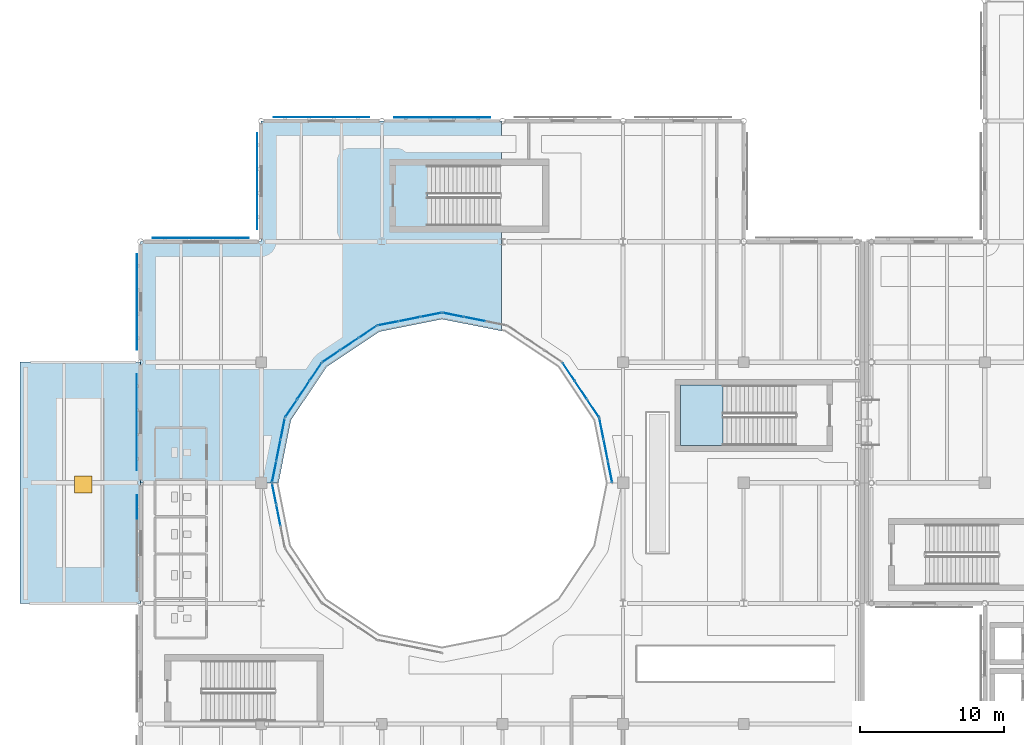
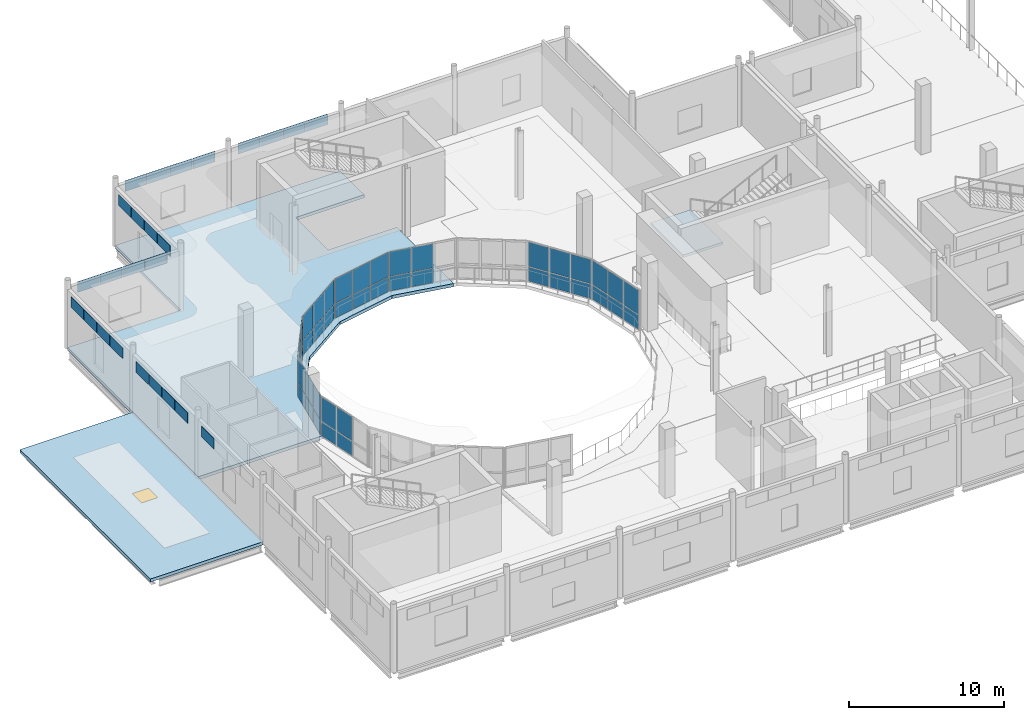
# One storey, part 58 of 110: 69 plates, 3 slabs, 1 window, 1 opening, 9 elements without a shape of their own.
"""IFC4 building model written with IfcOpenShell, lengths in metres."""

from ifc_helpers import new_model, si_unit, direction, frame, origin, origin_2d, place, context, subcontext, project, spatial, polyline, rectangle, outline, extrude, material, layer, layer_set, type_object, element, fill, aggregate, save


model = new_model("IFC4")

# Units and contexts
model_context = context("Model", 3, precision=1e-05, world=origin(), true_north=direction((0.0, 1.0)))
body_context = subcontext(model_context, "Body", "Model", "MODEL_VIEW")
ifc_project = project(units=[si_unit("LENGTHUNIT", "METRE"), si_unit("AREAUNIT", "SQUARE_METRE"), si_unit("VOLUMEUNIT", "CUBIC_METRE"), si_unit("PLANEANGLEUNIT", "RADIAN"), si_unit("MASSUNIT", "GRAM", prefix="KILO"), si_unit("THERMODYNAMICTEMPERATUREUNIT", "KELVIN")], contexts=[model_context])

# Site, building, storey
site_placement = place(None, origin())
site = spatial("IfcSite", under=ifc_project, at=site_placement, CompositionType="ELEMENT")
building_placement = place(site_placement, origin())
building = spatial("IfcBuilding", under=site, at=building_placement, Name="Lustrewick Department Store", CompositionType="ELEMENT")
storey_placement = place(building_placement, frame((0.0, 0.0, 6.0)))
storey = spatial("IfcBuildingStorey", under=building, at=storey_placement, Name="L02", CompositionType="ELEMENT", Elevation=6.0)

# Curtain wall, plates
ifc_material_1 = material(Name="Thermally broken aluminium 6063-T5", Category="aluminium")
ifc_layer_1 = layer(ifc_material_1, 0.169921875, Name="Thermally broken aluminium 6063-T5")
ifc_layer_set_1 = layer_set([ifc_layer_1], Name="Thermally broken aluminium 6063-T5")
curtain_wall_type_1 = type_object("IfcCurtainWallType", Name="CW16", PredefinedType="NOTDEFINED", material=ifc_layer_set_1)
curtain_wall_1_placement = place(storey_placement, origin())
curtain_wall_1 = element("IfcCurtainWall", 1, at=curtain_wall_1_placement, inside=storey, type_object=curtain_wall_type_1, Name="L02 Atrium Glazed Screen CW16", PredefinedType="NOTDEFINED")
ifc_material_2 = material(Name="Fire-protective atrium safety glass", Category="glass")
ifc_layer_2 = layer(ifc_material_2, 0.02490234375, Name="Fire-protective atrium safety glass")
ifc_layer_set_2 = layer_set([ifc_layer_2], Name="Fire-protective atrium safety glass")
plate_type_1 = type_object("IfcPlateType", Name="CP06", PredefinedType="CURTAIN_PANEL", material=ifc_layer_set_2)
plate_1_placement = place(storey_placement, frame((24.2109375, 77.7109375, 0.06494140625), z_axis=(0.0, 0.0, 1.0), x_axis=(-0.831464212799, -0.555578313862, 0.0)))
plate_1 = element("IfcPlate", 2, at=plate_1_placement, type_object=plate_type_1, Name="CW16 panel 1.1", PredefinedType="CURTAIN_PANEL", context=body_context, shape_type="SweptSolid", body=[
    extrude(rectangle(XDim=1.443603515625, YDim=0.02490234375, at=origin_2d()), origin(), (0.0, 0.0, 1.0), 1.1025390625),
])
plate_2_placement = place(storey_placement, frame((24.2109375, 77.7109375, 1.232421875), z_axis=(0.0, 0.0, 1.0), x_axis=(-0.831464212799, -0.555578313862, 0.0)))
plate_2 = element("IfcPlate", 3, at=plate_2_placement, type_object=plate_type_1, Name="CW16 panel 1.2", PredefinedType="CURTAIN_PANEL", context=body_context, shape_type="SweptSolid", body=[
    extrude(rectangle(XDim=1.443603515625, YDim=0.02490234375, at=origin_2d()), origin(), (0.0, 0.0, 1.0), 1.902587890625),
])
plate_3_placement = place(storey_placement, frame((22.943115234375, 76.863525390625, 0.06494140625), z_axis=(0.0, 0.0, 1.0), x_axis=(-0.831464212799, -0.555578313862, 0.0)))
plate_3 = element("IfcPlate", 4, at=plate_3_placement, type_object=plate_type_1, Name="CW16 panel 2.1", PredefinedType="CURTAIN_PANEL", context=body_context, shape_type="SweptSolid", body=[
    extrude(rectangle(XDim=1.476318359375, YDim=0.02490234375, at=origin_2d()), origin(), (0.0, 0.0, 1.0), 1.1025390625),
])
plate_4_placement = place(storey_placement, frame((22.943115234375, 76.863525390625, 1.232421875), z_axis=(0.0, 0.0, 1.0), x_axis=(-0.831464212799, -0.555578313862, 0.0)))
plate_4 = element("IfcPlate", 5, at=plate_4_placement, type_object=plate_type_1, Name="CW16 panel 2.2", PredefinedType="CURTAIN_PANEL", context=body_context, shape_type="SweptSolid", body=[
    extrude(rectangle(XDim=1.476318359375, YDim=0.02490234375, at=origin_2d()), origin(), (0.0, 0.0, 1.0), 1.902587890625),
])
plate_5_placement = place(storey_placement, frame((21.675048828125, 76.016357421875, 0.06494140625), z_axis=(0.0, 0.0, 1.0), x_axis=(-0.831464212799, -0.555578313862, 0.0)))
plate_5 = element("IfcPlate", 6, at=plate_5_placement, type_object=plate_type_1, Name="CW16 panel 3.1", PredefinedType="CURTAIN_PANEL", context=body_context, shape_type="SweptSolid", body=[
    extrude(rectangle(XDim=1.443603515625, YDim=0.02490234375, at=origin_2d()), origin(), (0.0, 0.0, 1.0), 1.1025390625),
])
plate_6_placement = place(storey_placement, frame((21.675048828125, 76.016357421875, 1.232421875), z_axis=(0.0, 0.0, 1.0), x_axis=(-0.831464212799, -0.555578313862, 0.0)))
plate_6 = element("IfcPlate", 7, at=plate_6_placement, type_object=plate_type_1, Name="CW16 panel 3.2", PredefinedType="CURTAIN_PANEL", context=body_context, shape_type="SweptSolid", body=[
    extrude(rectangle(XDim=1.443603515625, YDim=0.02490234375, at=origin_2d()), origin(), (0.0, 0.0, 1.0), 1.902587890625),
])
aggregate(curtain_wall_1, [plate_1, plate_2, plate_3, plate_4, plate_5, plate_6])

curtain_wall_2_placement = place(storey_placement, origin())
curtain_wall_2 = element("IfcCurtainWall", 8, at=curtain_wall_2_placement, inside=storey, type_object=curtain_wall_type_1, Name="L02 Atrium Glazed Screen CW16", PredefinedType="NOTDEFINED")
plate_7_placement = place(storey_placement, frame((17.70361328125, 66.42822265625, 0.06494140625), z_axis=(0.0, 0.0, 1.0), x_axis=(0.195084537521, -0.980786430993, 0.0)))
plate_7 = element("IfcPlate", 9, at=plate_7_placement, type_object=plate_type_1, Name="CW16 panel 1.1", PredefinedType="CURTAIN_PANEL", context=body_context, shape_type="SweptSolid", body=[
    extrude(rectangle(XDim=1.443603515625, YDim=0.02490234375, at=origin_2d()), origin(), (0.0, 0.0, 1.0), 1.1025390625),
])
plate_8_placement = place(storey_placement, frame((17.70361328125, 66.42822265625, 1.232421875), z_axis=(0.0, 0.0, 1.0), x_axis=(0.195084537521, -0.980786430993, 0.0)))
plate_8 = element("IfcPlate", 10, at=plate_8_placement, type_object=plate_type_1, Name="CW16 panel 1.2", PredefinedType="CURTAIN_PANEL", context=body_context, shape_type="SweptSolid", body=[
    extrude(rectangle(XDim=1.443603515625, YDim=0.02490234375, at=origin_2d()), origin(), (0.0, 0.0, 1.0), 1.902587890625),
])
plate_9_placement = place(storey_placement, frame((18.0009765625, 64.9326171875, 0.06494140625), z_axis=(0.0, 0.0, 1.0), x_axis=(0.195084537521, -0.980786430993, 0.0)))
plate_9 = element("IfcPlate", 11, at=plate_9_placement, type_object=plate_type_1, Name="CW16 panel 2.1", PredefinedType="CURTAIN_PANEL", context=body_context, shape_type="SweptSolid", body=[
    extrude(rectangle(XDim=1.476318359375, YDim=0.02490234375, at=origin_2d()), origin(), (0.0, 0.0, 1.0), 1.1025390625),
])
plate_10_placement = place(storey_placement, frame((18.0009765625, 64.9326171875, 1.232421875), z_axis=(0.0, 0.0, 1.0), x_axis=(0.195084537521, -0.980786430993, 0.0)))
plate_10 = element("IfcPlate", 12, at=plate_10_placement, type_object=plate_type_1, Name="CW16 panel 2.2", PredefinedType="CURTAIN_PANEL", context=body_context, shape_type="SweptSolid", body=[
    extrude(rectangle(XDim=1.476318359375, YDim=0.02490234375, at=origin_2d()), origin(), (0.0, 0.0, 1.0), 1.902587890625),
])
aggregate(curtain_wall_2, [plate_7, plate_8, plate_9, plate_10])

ifc_layer_3 = layer(ifc_material_1, 0.159912109375, Name="Thermally broken aluminium 6063-T5")
ifc_layer_set_3 = layer_set([ifc_layer_3], Name="Thermally broken aluminium 6063-T5")
curtain_wall_type_2 = type_object("IfcCurtainWallType", Name="CW17", PredefinedType="NOTDEFINED", material=ifc_layer_set_3)
curtain_wall_3_placement = place(storey_placement, origin())
curtain_wall_3 = element("IfcCurtainWall", 13, at=curtain_wall_3_placement, inside=storey, type_object=curtain_wall_type_2, Name="L02 Atrium Glazed Screen CW17", PredefinedType="NOTDEFINED")
ifc_layer_4 = layer(ifc_material_2, 0.027099609375, Name="Fire-protective atrium safety glass")
ifc_layer_set_4 = layer_set([ifc_layer_4], Name="Fire-protective atrium safety glass")
plate_type_2 = type_object("IfcPlateType", Name="CP07", PredefinedType="CURTAIN_PANEL", material=ifc_layer_set_4)
plate_11_placement = place(storey_placement, frame((41.0966796875, 67.970458984375, 0.06005859375), z_axis=(0.0, 0.0, 1.0), x_axis=(-0.195084537521, 0.980786430993, 0.0)))
plate_11 = element("IfcPlate", 14, at=plate_11_placement, type_object=plate_type_2, Name="CW17 panel 1.1", PredefinedType="CURTAIN_PANEL", context=body_context, shape_type="SweptSolid", body=[
    extrude(rectangle(XDim=1.451171875, YDim=0.027099609375, at=origin_2d()), origin(), (0.0, 0.0, 1.0), 1.110107421875),
])
plate_12_placement = place(storey_placement, frame((41.0966796875, 67.970458984375, 1.22998046875), z_axis=(0.0, 0.0, 1.0), x_axis=(-0.195084537521, 0.980786430993, 0.0)))
plate_12 = element("IfcPlate", 15, at=plate_12_placement, type_object=plate_type_2, Name="CW17 panel 1.2", PredefinedType="CURTAIN_PANEL", context=body_context, shape_type="SweptSolid", body=[
    extrude(rectangle(XDim=1.451171875, YDim=0.027099609375, at=origin_2d()), origin(), (0.0, 0.0, 1.0), 1.909912109375),
])
plate_13_placement = place(storey_placement, frame((40.799072265625, 69.46728515625, 0.06005859375), z_axis=(0.0, 0.0, 1.0), x_axis=(-0.195084537521, 0.980786430993, 0.0)))
plate_13 = element("IfcPlate", 16, at=plate_13_placement, type_object=plate_type_2, Name="CW17 panel 2.1", PredefinedType="CURTAIN_PANEL", context=body_context, shape_type="SweptSolid", body=[
    extrude(rectangle(XDim=1.481201171875, YDim=0.027099609375, at=origin_2d()), origin(), (0.0, 0.0, 1.0), 1.110107421875),
])
plate_14_placement = place(storey_placement, frame((40.799072265625, 69.46728515625, 1.22998046875), z_axis=(0.0, 0.0, 1.0), x_axis=(-0.195084537521, 0.980786430993, 0.0)))
plate_14 = element("IfcPlate", 17, at=plate_14_placement, type_object=plate_type_2, Name="CW17 panel 2.2", PredefinedType="CURTAIN_PANEL", context=body_context, shape_type="SweptSolid", body=[
    extrude(rectangle(XDim=1.481201171875, YDim=0.027099609375, at=origin_2d()), origin(), (0.0, 0.0, 1.0), 1.909912109375),
])
plate_15_placement = place(storey_placement, frame((40.501220703125, 70.96435546875, 0.06005859375), z_axis=(0.0, 0.0, 1.0), x_axis=(-0.195084537521, 0.980786430993, 0.0)))
plate_15 = element("IfcPlate", 18, at=plate_15_placement, type_object=plate_type_2, Name="CW17 panel 3.1", PredefinedType="CURTAIN_PANEL", context=body_context, shape_type="SweptSolid", body=[
    extrude(rectangle(XDim=1.451171875, YDim=0.027099609375, at=origin_2d()), origin(), (0.0, 0.0, 1.0), 1.110107421875),
])
plate_16_placement = place(storey_placement, frame((40.501220703125, 70.96435546875, 1.22998046875), z_axis=(0.0, 0.0, 1.0), x_axis=(-0.195084537521, 0.980786430993, 0.0)))
plate_16 = element("IfcPlate", 19, at=plate_16_placement, type_object=plate_type_2, Name="CW17 panel 3.2", PredefinedType="CURTAIN_PANEL", context=body_context, shape_type="SweptSolid", body=[
    extrude(rectangle(XDim=1.451171875, YDim=0.027099609375, at=origin_2d()), origin(), (0.0, 0.0, 1.0), 1.909912109375),
])
aggregate(curtain_wall_3, [plate_11, plate_12, plate_13, plate_14, plate_15, plate_16])

curtain_wall_4_placement = place(storey_placement, origin())
curtain_wall_4 = element("IfcCurtainWall", 20, at=curtain_wall_4_placement, inside=storey, type_object=curtain_wall_type_2, Name="L02 Atrium Glazed Screen CW17", PredefinedType="NOTDEFINED")
plate_17_placement = place(storey_placement, frame((31.66748046875, 78.59912109375, 0.06005859375), z_axis=(0.0, 0.0, 1.0), x_axis=(-0.980786430993, 0.195084537521, 0.0)))
plate_17 = element("IfcPlate", 21, at=plate_17_placement, type_object=plate_type_2, Name="CW17 panel 2.1", PredefinedType="CURTAIN_PANEL", context=body_context, shape_type="SweptSolid", body=[
    extrude(rectangle(XDim=1.481201171875, YDim=0.027099609375, at=origin_2d()), origin(), (0.0, 0.0, 1.0), 1.110107421875),
])
plate_18_placement = place(storey_placement, frame((31.66748046875, 78.59912109375, 1.22998046875), z_axis=(0.0, 0.0, 1.0), x_axis=(-0.980786430993, 0.195084537521, 0.0)))
plate_18 = element("IfcPlate", 22, at=plate_18_placement, type_object=plate_type_2, Name="CW17 panel 2.2", PredefinedType="CURTAIN_PANEL", context=body_context, shape_type="SweptSolid", body=[
    extrude(rectangle(XDim=1.481201171875, YDim=0.027099609375, at=origin_2d()), origin(), (0.0, 0.0, 1.0), 1.909912109375),
])
plate_19_placement = place(storey_placement, frame((30.17041015625, 78.896728515625, 0.06005859375), z_axis=(0.0, 0.0, 1.0), x_axis=(-0.980786430993, 0.195084537521, 0.0)))
plate_19 = element("IfcPlate", 23, at=plate_19_placement, type_object=plate_type_2, Name="CW17 panel 3.1", PredefinedType="CURTAIN_PANEL", context=body_context, shape_type="SweptSolid", body=[
    extrude(rectangle(XDim=1.451171875, YDim=0.027099609375, at=origin_2d()), origin(), (0.0, 0.0, 1.0), 1.110107421875),
])
plate_20_placement = place(storey_placement, frame((30.17041015625, 78.896728515625, 1.22998046875), z_axis=(0.0, 0.0, 1.0), x_axis=(-0.980786430993, 0.195084537521, 0.0)))
plate_20 = element("IfcPlate", 24, at=plate_20_placement, type_object=plate_type_2, Name="CW17 panel 3.2", PredefinedType="CURTAIN_PANEL", context=body_context, shape_type="SweptSolid", body=[
    extrude(rectangle(XDim=1.451171875, YDim=0.027099609375, at=origin_2d()), origin(), (0.0, 0.0, 1.0), 1.909912109375),
])
aggregate(curtain_wall_4, [plate_17, plate_18, plate_19, plate_20])

curtain_wall_5_placement = place(storey_placement, origin())
curtain_wall_5 = element("IfcCurtainWall", 25, at=curtain_wall_5_placement, inside=storey, type_object=curtain_wall_type_2, Name="L02 Atrium Glazed Screen CW17", PredefinedType="NOTDEFINED")
plate_21_placement = place(storey_placement, frame((20.584228515625, 74.926025390625, 0.06005859375), z_axis=(0.0, 0.0, 1.0), x_axis=(-0.555578313862, -0.831464212799, 0.0)))
plate_21 = element("IfcPlate", 26, at=plate_21_placement, type_object=plate_type_2, Name="CW17 panel 1.1", PredefinedType="CURTAIN_PANEL", context=body_context, shape_type="SweptSolid", body=[
    extrude(rectangle(XDim=1.451171875, YDim=0.027099609375, at=origin_2d()), origin(), (0.0, 0.0, 1.0), 1.110107421875),
])
plate_22_placement = place(storey_placement, frame((20.584228515625, 74.926025390625, 1.22998046875), z_axis=(0.0, 0.0, 1.0), x_axis=(-0.555578313862, -0.831464212799, 0.0)))
plate_22 = element("IfcPlate", 27, at=plate_22_placement, type_object=plate_type_2, Name="CW17 panel 1.2", PredefinedType="CURTAIN_PANEL", context=body_context, shape_type="SweptSolid", body=[
    extrude(rectangle(XDim=1.451171875, YDim=0.027099609375, at=origin_2d()), origin(), (0.0, 0.0, 1.0), 1.909912109375),
])
plate_23_placement = place(storey_placement, frame((19.736328125, 73.656982421875, 0.06005859375), z_axis=(0.0, 0.0, 1.0), x_axis=(-0.555578313862, -0.831464212799, 0.0)))
plate_23 = element("IfcPlate", 28, at=plate_23_placement, type_object=plate_type_2, Name="CW17 panel 2.1", PredefinedType="CURTAIN_PANEL", context=body_context, shape_type="SweptSolid", body=[
    extrude(rectangle(XDim=1.481201171875, YDim=0.027099609375, at=origin_2d()), origin(), (0.0, 0.0, 1.0), 1.110107421875),
])
plate_24_placement = place(storey_placement, frame((19.736328125, 73.656982421875, 1.22998046875), z_axis=(0.0, 0.0, 1.0), x_axis=(-0.555578313862, -0.831464212799, 0.0)))
plate_24 = element("IfcPlate", 29, at=plate_24_placement, type_object=plate_type_2, Name="CW17 panel 2.2", PredefinedType="CURTAIN_PANEL", context=body_context, shape_type="SweptSolid", body=[
    extrude(rectangle(XDim=1.481201171875, YDim=0.027099609375, at=origin_2d()), origin(), (0.0, 0.0, 1.0), 1.909912109375),
])
plate_25_placement = place(storey_placement, frame((18.888427734375, 72.387939453125, 0.06005859375), z_axis=(0.0, 0.0, 1.0), x_axis=(-0.555578313862, -0.831464212799, 0.0)))
plate_25 = element("IfcPlate", 30, at=plate_25_placement, type_object=plate_type_2, Name="CW17 panel 3.1", PredefinedType="CURTAIN_PANEL", context=body_context, shape_type="SweptSolid", body=[
    extrude(rectangle(XDim=1.451171875, YDim=0.027099609375, at=origin_2d()), origin(), (0.0, 0.0, 1.0), 1.110107421875),
])
plate_26_placement = place(storey_placement, frame((18.888427734375, 72.387939453125, 1.22998046875), z_axis=(0.0, 0.0, 1.0), x_axis=(-0.555578313862, -0.831464212799, 0.0)))
plate_26 = element("IfcPlate", 31, at=plate_26_placement, type_object=plate_type_2, Name="CW17 panel 3.2", PredefinedType="CURTAIN_PANEL", context=body_context, shape_type="SweptSolid", body=[
    extrude(rectangle(XDim=1.451171875, YDim=0.027099609375, at=origin_2d()), origin(), (0.0, 0.0, 1.0), 1.909912109375),
])
aggregate(curtain_wall_5, [plate_21, plate_22, plate_23, plate_24, plate_25, plate_26])

ifc_layer_5 = layer(ifc_material_1, 0.14990234375, Name="Thermally broken aluminium 6063-T5")
ifc_layer_set_5 = layer_set([ifc_layer_5], Name="Thermally broken aluminium 6063-T5")
curtain_wall_type_3 = type_object("IfcCurtainWallType", Name="CW18", PredefinedType="NOTDEFINED", material=ifc_layer_set_5)
curtain_wall_6_placement = place(storey_placement, origin())
curtain_wall_6 = element("IfcCurtainWall", 32, at=curtain_wall_6_placement, inside=storey, type_object=curtain_wall_type_3, Name="L02 Atrium Glazed Screen CW18", PredefinedType="NOTDEFINED")
ifc_material_3 = material(Name="Fire-protective arcade safety glass", Category="glass")
ifc_layer_6 = layer(ifc_material_3, 0.029052734375, Name="Fire-protective arcade safety glass")
ifc_layer_set_6 = layer_set([ifc_layer_6], Name="Fire-protective arcade safety glass")
plate_type_3 = type_object("IfcPlateType", Name="CP08", PredefinedType="CURTAIN_PANEL", material=ifc_layer_set_6)
plate_27_placement = place(storey_placement, frame((39.91162109375, 72.387939453125, 0.06005859375), z_axis=(0.0, 0.0, 1.0), x_axis=(-0.555578313862, 0.831464212799, 0.0)))
plate_27 = element("IfcPlate", 33, at=plate_27_placement, type_object=plate_type_3, Name="CW18 panel 1.1", PredefinedType="CURTAIN_PANEL", context=body_context, shape_type="SweptSolid", body=[
    extrude(rectangle(XDim=1.451171875, YDim=0.029052734375, at=origin_2d()), origin(), (0.0, 0.0, 1.0), 1.110107421875),
])
plate_28_placement = place(storey_placement, frame((39.91162109375, 72.387939453125, 1.22998046875), z_axis=(0.0, 0.0, 1.0), x_axis=(-0.555578313862, 0.831464212799, 0.0)))
plate_28 = element("IfcPlate", 34, at=plate_28_placement, type_object=plate_type_3, Name="CW18 panel 1.2", PredefinedType="CURTAIN_PANEL", context=body_context, shape_type="SweptSolid", body=[
    extrude(rectangle(XDim=1.451171875, YDim=0.029052734375, at=origin_2d()), origin(), (0.0, 0.0, 1.0), 1.909912109375),
])
plate_29_placement = place(storey_placement, frame((39.063720703125, 73.656982421875, 0.06005859375), z_axis=(0.0, 0.0, 1.0), x_axis=(-0.555578313862, 0.831464212799, 0.0)))
plate_29 = element("IfcPlate", 35, at=plate_29_placement, type_object=plate_type_3, Name="CW18 panel 2.1", PredefinedType="CURTAIN_PANEL", context=body_context, shape_type="SweptSolid", body=[
    extrude(rectangle(XDim=1.481201171875, YDim=0.029052734375, at=origin_2d()), origin(), (0.0, 0.0, 1.0), 1.110107421875),
])
plate_30_placement = place(storey_placement, frame((39.063720703125, 73.656982421875, 1.22998046875), z_axis=(0.0, 0.0, 1.0), x_axis=(-0.555578313862, 0.831464212799, 0.0)))
plate_30 = element("IfcPlate", 36, at=plate_30_placement, type_object=plate_type_3, Name="CW18 panel 2.2", PredefinedType="CURTAIN_PANEL", context=body_context, shape_type="SweptSolid", body=[
    extrude(rectangle(XDim=1.481201171875, YDim=0.029052734375, at=origin_2d()), origin(), (0.0, 0.0, 1.0), 1.909912109375),
])
plate_31_placement = place(storey_placement, frame((38.215576171875, 74.926025390625, 0.06005859375), z_axis=(0.0, 0.0, 1.0), x_axis=(-0.555578313862, 0.831464212799, 0.0)))
plate_31 = element("IfcPlate", 37, at=plate_31_placement, type_object=plate_type_3, Name="CW18 panel 3.1", PredefinedType="CURTAIN_PANEL", context=body_context, shape_type="SweptSolid", body=[
    extrude(rectangle(XDim=1.451171875, YDim=0.029052734375, at=origin_2d()), origin(), (0.0, 0.0, 1.0), 1.110107421875),
])
plate_32_placement = place(storey_placement, frame((38.215576171875, 74.926025390625, 1.22998046875), z_axis=(0.0, 0.0, 1.0), x_axis=(-0.555578313862, 0.831464212799, 0.0)))
plate_32 = element("IfcPlate", 38, at=plate_32_placement, type_object=plate_type_3, Name="CW18 panel 3.2", PredefinedType="CURTAIN_PANEL", context=body_context, shape_type="SweptSolid", body=[
    extrude(rectangle(XDim=1.451171875, YDim=0.029052734375, at=origin_2d()), origin(), (0.0, 0.0, 1.0), 1.909912109375),
])
aggregate(curtain_wall_6, [plate_27, plate_28, plate_29, plate_30, plate_31, plate_32])

curtain_wall_7_placement = place(storey_placement, origin())
curtain_wall_7 = element("IfcCurtainWall", 39, at=curtain_wall_7_placement, inside=storey, type_object=curtain_wall_type_3, Name="L02 Atrium Glazed Screen CW18", PredefinedType="NOTDEFINED")
plate_33_placement = place(storey_placement, frame((28.62939453125, 78.896728515625, 0.06005859375), z_axis=(0.0, 0.0, 1.0), x_axis=(-0.980786430993, -0.195084537521, 0.0)))
plate_33 = element("IfcPlate", 40, at=plate_33_placement, type_object=plate_type_3, Name="CW18 panel 1.1", PredefinedType="CURTAIN_PANEL", context=body_context, shape_type="SweptSolid", body=[
    extrude(rectangle(XDim=1.451171875, YDim=0.029052734375, at=origin_2d()), origin(), (0.0, 0.0, 1.0), 1.110107421875),
])
plate_34_placement = place(storey_placement, frame((28.62939453125, 78.896728515625, 1.22998046875), z_axis=(0.0, 0.0, 1.0), x_axis=(-0.980786430993, -0.195084537521, 0.0)))
plate_34 = element("IfcPlate", 41, at=plate_34_placement, type_object=plate_type_3, Name="CW18 panel 1.2", PredefinedType="CURTAIN_PANEL", context=body_context, shape_type="SweptSolid", body=[
    extrude(rectangle(XDim=1.451171875, YDim=0.029052734375, at=origin_2d()), origin(), (0.0, 0.0, 1.0), 1.909912109375),
])
plate_35_placement = place(storey_placement, frame((27.132568359375, 78.59912109375, 0.06005859375), z_axis=(0.0, 0.0, 1.0), x_axis=(-0.980786430993, -0.195084537521, 0.0)))
plate_35 = element("IfcPlate", 42, at=plate_35_placement, type_object=plate_type_3, Name="CW18 panel 2.1", PredefinedType="CURTAIN_PANEL", context=body_context, shape_type="SweptSolid", body=[
    extrude(rectangle(XDim=1.481201171875, YDim=0.029052734375, at=origin_2d()), origin(), (0.0, 0.0, 1.0), 1.110107421875),
])
plate_36_placement = place(storey_placement, frame((27.132568359375, 78.59912109375, 1.22998046875), z_axis=(0.0, 0.0, 1.0), x_axis=(-0.980786430993, -0.195084537521, 0.0)))
plate_36 = element("IfcPlate", 43, at=plate_36_placement, type_object=plate_type_3, Name="CW18 panel 2.2", PredefinedType="CURTAIN_PANEL", context=body_context, shape_type="SweptSolid", body=[
    extrude(rectangle(XDim=1.481201171875, YDim=0.029052734375, at=origin_2d()), origin(), (0.0, 0.0, 1.0), 1.909912109375),
])
plate_37_placement = place(storey_placement, frame((25.6357421875, 78.30126953125, 0.06005859375), z_axis=(0.0, 0.0, 1.0), x_axis=(-0.980786430993, -0.195084537521, 0.0)))
plate_37 = element("IfcPlate", 44, at=plate_37_placement, type_object=plate_type_3, Name="CW18 panel 3.1", PredefinedType="CURTAIN_PANEL", context=body_context, shape_type="SweptSolid", body=[
    extrude(rectangle(XDim=1.451171875, YDim=0.029052734375, at=origin_2d()), origin(), (0.0, 0.0, 1.0), 1.110107421875),
])
plate_38_placement = place(storey_placement, frame((25.6357421875, 78.30126953125, 1.22998046875), z_axis=(0.0, 0.0, 1.0), x_axis=(-0.980786430993, -0.195084537521, 0.0)))
plate_38 = element("IfcPlate", 45, at=plate_38_placement, type_object=plate_type_3, Name="CW18 panel 3.2", PredefinedType="CURTAIN_PANEL", context=body_context, shape_type="SweptSolid", body=[
    extrude(rectangle(XDim=1.451171875, YDim=0.029052734375, at=origin_2d()), origin(), (0.0, 0.0, 1.0), 1.909912109375),
])
aggregate(curtain_wall_7, [plate_33, plate_34, plate_35, plate_36, plate_37, plate_38])

curtain_wall_8_placement = place(storey_placement, origin())
curtain_wall_8 = element("IfcCurtainWall", 46, at=curtain_wall_8_placement, inside=storey, type_object=curtain_wall_type_3, Name="L02 Atrium Glazed Screen CW18", PredefinedType="NOTDEFINED")
plate_39_placement = place(storey_placement, frame((18.298828125, 70.96435546875, 0.06005859375), z_axis=(0.0, 0.0, 1.0), x_axis=(-0.195084537521, -0.980786430993, 0.0)))
plate_39 = element("IfcPlate", 47, at=plate_39_placement, type_object=plate_type_3, Name="CW18 panel 1.1", PredefinedType="CURTAIN_PANEL", context=body_context, shape_type="SweptSolid", body=[
    extrude(rectangle(XDim=1.451171875, YDim=0.029052734375, at=origin_2d()), origin(), (0.0, 0.0, 1.0), 1.110107421875),
])
plate_40_placement = place(storey_placement, frame((18.298828125, 70.96435546875, 1.22998046875), z_axis=(0.0, 0.0, 1.0), x_axis=(-0.195084537521, -0.980786430993, 0.0)))
plate_40 = element("IfcPlate", 48, at=plate_40_placement, type_object=plate_type_3, Name="CW18 panel 1.2", PredefinedType="CURTAIN_PANEL", context=body_context, shape_type="SweptSolid", body=[
    extrude(rectangle(XDim=1.451171875, YDim=0.029052734375, at=origin_2d()), origin(), (0.0, 0.0, 1.0), 1.909912109375),
])
plate_41_placement = place(storey_placement, frame((18.0009765625, 69.46728515625, 0.06005859375), z_axis=(0.0, 0.0, 1.0), x_axis=(-0.195084537521, -0.980786430993, 0.0)))
plate_41 = element("IfcPlate", 49, at=plate_41_placement, type_object=plate_type_3, Name="CW18 panel 2.1", PredefinedType="CURTAIN_PANEL", context=body_context, shape_type="SweptSolid", body=[
    extrude(rectangle(XDim=1.481201171875, YDim=0.029052734375, at=origin_2d()), origin(), (0.0, 0.0, 1.0), 1.110107421875),
])
plate_42_placement = place(storey_placement, frame((18.0009765625, 69.46728515625, 1.22998046875), z_axis=(0.0, 0.0, 1.0), x_axis=(-0.195084537521, -0.980786430993, 0.0)))
plate_42 = element("IfcPlate", 50, at=plate_42_placement, type_object=plate_type_3, Name="CW18 panel 2.2", PredefinedType="CURTAIN_PANEL", context=body_context, shape_type="SweptSolid", body=[
    extrude(rectangle(XDim=1.481201171875, YDim=0.029052734375, at=origin_2d()), origin(), (0.0, 0.0, 1.0), 1.909912109375),
])
plate_43_placement = place(storey_placement, frame((17.703369140625, 67.970458984375, 0.06005859375), z_axis=(0.0, 0.0, 1.0), x_axis=(-0.195084537521, -0.980786430993, 0.0)))
plate_43 = element("IfcPlate", 51, at=plate_43_placement, type_object=plate_type_3, Name="CW18 panel 3.1", PredefinedType="CURTAIN_PANEL", context=body_context, shape_type="SweptSolid", body=[
    extrude(rectangle(XDim=1.451171875, YDim=0.029052734375, at=origin_2d()), origin(), (0.0, 0.0, 1.0), 1.110107421875),
])
plate_44_placement = place(storey_placement, frame((17.703369140625, 67.970458984375, 1.22998046875), z_axis=(0.0, 0.0, 1.0), x_axis=(-0.195084537521, -0.980786430993, 0.0)))
plate_44 = element("IfcPlate", 52, at=plate_44_placement, type_object=plate_type_3, Name="CW18 panel 3.2", PredefinedType="CURTAIN_PANEL", context=body_context, shape_type="SweptSolid", body=[
    extrude(rectangle(XDim=1.451171875, YDim=0.029052734375, at=origin_2d()), origin(), (0.0, 0.0, 1.0), 1.909912109375),
])
aggregate(curtain_wall_8, [plate_39, plate_40, plate_41, plate_42, plate_43, plate_44])

# Slab
ifc_material_4 = material(Name="Concrete C30", Category="concrete")
ifc_layer_7 = layer(ifc_material_4, 0.25, Name="Concrete C30")
ifc_layer_set_7 = layer_set([ifc_layer_7], Name="Concrete C30")
slab_type_1 = type_object("IfcSlabType", Name="FS02", PredefinedType="FLOOR", material=ifc_layer_set_7)
slab_1_placement = place(storey_placement, frame((0.0, 0.0, -0.25)))
element("IfcSlab", 53, at=slab_1_placement, inside=storey, type_object=slab_type_1, Name="L02 V1 Floor Slab FS02", PredefinedType="FLOOR", context=body_context, shape_type="SweptSolid", body=[
    extrude(outline(polyline([(8.39990234375, 84.0), (8.39990234375, 67.199951171875), (18.0, 67.199951171875), (18.867919921875, 71.5625), (21.339111328125, 75.260986328125), (25.037353515625, 77.732177734375), (29.39990234375, 78.60009765625), (33.52490234375, 77.779541015625), (33.52490234375, 85.10009765625), (28.419921875, 85.10009765625), (28.419921875, 89.300048828125), (33.52490234375, 89.300048828125), (33.52490234375, 92.39990234375), (16.800048828125, 92.39990234375), (16.800048828125, 84.0), (8.39990234375, 84.0)])), origin(), (0.0, 0.0, 1.0), 0.25),
])

# Stair, slab
stair_type = type_object("IfcStairType", Name="ST-H54", PredefinedType="HALF_TURN_STAIR", material=ifc_material_4)
stair_placement = place(storey_placement, origin())
stair = element("IfcStair", 54, at=stair_placement, inside=storey, type_object=stair_type, Name="L02 Smoke-Proof Exit Stair ST02", PredefinedType="HALF_TURN_STAIR")
ifc_layer_8 = layer(ifc_material_4, 0.199951171875, Name="Concrete C30")
ifc_layer_set_8 = layer_set([ifc_layer_8], Name="Concrete C30")
slab_type_2 = type_object("IfcSlabType", Name="LS01", PredefinedType="LANDING", material=ifc_layer_set_8)
slab_2_placement = place(storey_placement, frame((0.0, 0.0, 2.5)))
slab_2 = element("IfcSlab", 55, at=slab_2_placement, type_object=slab_type_2, Name="ST-H54 landing 1", PredefinedType="LANDING", context=body_context, shape_type="SweptSolid", body=[
    extrude(outline(polyline([(48.949951171875, 74.0), (46.0, 74.0), (46.0, 69.800048828125), (48.949951171875, 69.800048828125), (48.949951171875, 74.0)])), origin(), (0.0, 0.0, 1.0), 0.199951171875),
])
aggregate(stair, [slab_2])

# Plates
ifc_material_5 = material(Name="Perforated white powder-coated aluminium 3003-H24", Category="aluminium")
ifc_layer_9 = layer(ifc_material_5, 0.011962890625, Name="Perforated white powder-coated aluminium 3003-H24")
ifc_layer_set_9 = layer_set([ifc_layer_9], Name="Perforated white powder-coated aluminium 3003-H24")
plate_type_4 = type_object("IfcPlateType", Name="PS03", PredefinedType="SHEET", material=ifc_layer_set_9)
for number, where, z_axis, x_axis, name in (
    (56, (31.919921875, 92.64599609375, 3.77685546875), (0.0, 0.0, 1.0), (-1.0, 0.0, 0.0), "L02 Botanical Filigree Cassette PS03 0017"),
    (57, (30.239990234375, 92.64599609375, 3.77685546875), (0.0, 0.0, 1.0), (-1.0, 0.0, 0.0), "L02 Botanical Filigree Cassette PS03 0018"),
    (58, (28.56005859375, 92.64599609375, 3.77685546875), (0.0, 0.0, 1.0), (-1.0, 0.0, 0.0), "L02 Botanical Filigree Cassette PS03 0019"),
    (59, (26.8798828125, 92.64599609375, 3.77685546875), (0.0, 0.0, 1.0), (-1.0, 0.0, 0.0), "L02 Botanical Filigree Cassette PS03 0020"),
    (60, (23.52001953125, 92.656005859375, 3.77685546875), (0.0, 0.0, 1.0), (-1.0, 0.0, 0.0), "L02 Botanical Filigree Cassette PS03 0021"),
    (61, (21.840087890625, 92.656005859375, 3.77685546875), (0.0, 0.0, 1.0), (-1.0, 0.0, 0.0), "L02 Botanical Filigree Cassette PS03 0022"),
    (62, (20.159912109375, 92.656005859375, 3.77685546875), (0.0, 0.0, 1.0), (-1.0, 0.0, 0.0), "L02 Botanical Filigree Cassette PS03 0023"),
    (63, (18.47998046875, 92.656005859375, 3.77685546875), (0.0, 0.0, 1.0), (-1.0, 0.0, 0.0), "L02 Botanical Filigree Cassette PS03 0024"),
    (64, (16.533935546875, 90.727294921875, 3.77685546875), (0.0, 0.0, 1.0), (0.0, -1.0, 0.0), "L02 Botanical Filigree Cassette PS03 0025"),
    (65, (16.533935546875, 89.047119140625, 3.77685546875), (0.0, 0.0, 1.0), (0.0, -1.0, 0.0), "L02 Botanical Filigree Cassette PS03 0026"),
    (66, (16.533935546875, 87.3671875, 3.77685546875), (0.0, 0.0, 1.0), (0.0, -1.0, 0.0), "L02 Botanical Filigree Cassette PS03 0027"),
    (67, (16.533935546875, 85.687255859375, 3.77685546875), (0.0, 0.0, 1.0), (0.0, -1.0, 0.0), "L02 Botanical Filigree Cassette PS03 0028"),
    (68, (15.1201171875, 84.24609375, 3.8671875), (0.0, 0.0, 1.0), (-1.0, 0.0, 0.0), "L02 Botanical Filigree Cassette PS03 0029"),
    (69, (13.43994140625, 84.24609375, 3.8671875), (0.0, 0.0, 1.0), (-1.0, 0.0, 0.0), "L02 Botanical Filigree Cassette PS03 0030"),
    (70, (11.760009765625, 84.24609375, 3.8671875), (0.0, 0.0, 1.0), (-1.0, 0.0, 0.0), "L02 Botanical Filigree Cassette PS03 0031"),
    (71, (10.080078125, 84.24609375, 3.8671875), (0.0, 0.0, 1.0), (-1.0, 0.0, 0.0), "L02 Botanical Filigree Cassette PS03 0032"),
    (72, (8.14404296875, 82.312744140625, 3.77685546875), (0.0, 0.0, 1.0), (0.0, -1.0, 0.0), "L02 Botanical Filigree Cassette PS03 0033"),
    (73, (8.14404296875, 80.6328125, 3.77685546875), (0.0, 0.0, 1.0), (0.0, -1.0, 0.0), "L02 Botanical Filigree Cassette PS03 0034"),
    (74, (8.14404296875, 78.952880859375, 3.77685546875), (0.0, 0.0, 1.0), (0.0, -1.0, 0.0), "L02 Botanical Filigree Cassette PS03 0035"),
    (75, (8.14404296875, 77.272705078125, 3.77685546875), (0.0, 0.0, 1.0), (0.0, -1.0, 0.0), "L02 Botanical Filigree Cassette PS03 0036"),
    (76, (8.134033203125, 73.92724609375, 3.77685546875), (0.0, 0.0, 1.0), (0.0, -1.0, 0.0), "L02 Botanical Filigree Cassette PS03 0037"),
    (77, (8.134033203125, 72.247314453125, 3.77685546875), (0.0, 0.0, 1.0), (0.0, -1.0, 0.0), "L02 Botanical Filigree Cassette PS03 0038"),
    (78, (8.134033203125, 70.5673828125, 3.77685546875), (0.0, 0.0, 1.0), (0.0, -1.0, 0.0), "L02 Botanical Filigree Cassette PS03 0039"),
    (79, (8.134033203125, 68.88720703125, 3.77685546875), (0.0, 0.0, 1.0), (0.0, -1.0, 0.0), "L02 Botanical Filigree Cassette PS03 0040"),
    (80, (8.154052734375, 65.52001953125, 3.77685546875), (0.0, 0.0, 1.0), (0.0, -1.0, 0.0), "L02 Botanical Filigree Cassette PS03 0041"),
):
    element("IfcPlate", number, at=place(storey_placement, frame(where, z_axis=z_axis, x_axis=x_axis)), inside=storey, type_object=plate_type_4, Name=name, PredefinedType="SHEET", context=body_context, shape_type="SweptSolid", body=[
        extrude(rectangle(XDim=1.639892578125, YDim=0.011962890625, at=origin_2d()), origin(), (0.0, 0.0, 1.0), 0.840087890625),
    ])

# Slab, opening, window
ifc_material_6 = material(Name="Concrete C35", Category="concrete")
ifc_layer_10 = layer(ifc_material_6, 0.248046875, Name="Concrete C35")
ifc_layer_set_10 = layer_set([ifc_layer_10], Name="Concrete C35")
slab_type_3 = type_object("IfcSlabType", Name="RS01", PredefinedType="ROOF", material=ifc_layer_set_10)
slab_3_placement = place(storey_placement, frame((0.0, 0.0, -0.248046875)))
slab_3 = element("IfcSlab", 81, at=slab_3_placement, inside=storey, type_object=slab_type_3, Name="L02 Flat Roof Slab V1-WEST-L01", PredefinedType="ROOF", context=body_context, shape_type="SweptSolid", body=[
    extrude(outline(polyline([(8.39990234375, 58.800048828125), (8.39990234375, 75.60009765625), (0.0, 75.60009765625), (0.0, 58.800048828125), (8.39990234375, 58.800048828125)])), origin(), (0.0, 0.0, 1.0), 0.248046875),
])
opening_placement = place(slab_3_placement, frame((4.39990234375, 67.09228515625, -0.010009765625)))
opening = element("IfcOpeningElement", 82, at=opening_placement, cuts=slab_3, Name="Opening SK01", PredefinedType="OPENING", context=body_context, shape_type="SweptSolid", body=[
    extrude(rectangle(XDim=1.199951171875, YDim=1.199951171875, at=origin_2d()), origin(), (0.0, 0.0, 1.0), 0.26806640625),
])
ifc_material_7 = material(Name="Thermally broken Low-E triple-glazed skylight", Category="glass")
window_type = type_object("IfcWindowType", Name="SK01", PartitioningType="SINGLE_PANEL", PredefinedType="SKYLIGHT", material=ifc_material_7)
window_placement = place(opening_placement, frame((0.0, 0.0, 0.2080078125)))
window = element("IfcWindow", 83, at=window_placement, inside=storey, type_object=window_type, Name="L02 Roof Skylight SK01", OverallHeight=1.199951171875, OverallWidth=1.199951171875, PartitioningType="SINGLE_PANEL", PredefinedType="SKYLIGHT", context=body_context, shape_type="SweptSolid", body=[
    extrude(rectangle(XDim=1.199951171875, YDim=1.199951171875, at=origin_2d()), origin(), (0.0, 0.0, 1.0), 0.050048828125),
])
fill(opening, window)

save(model, "model.ifc")
